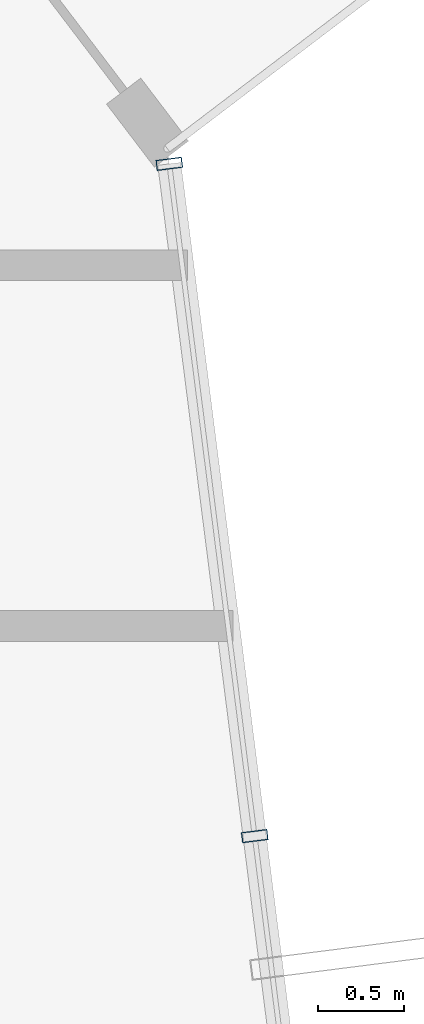
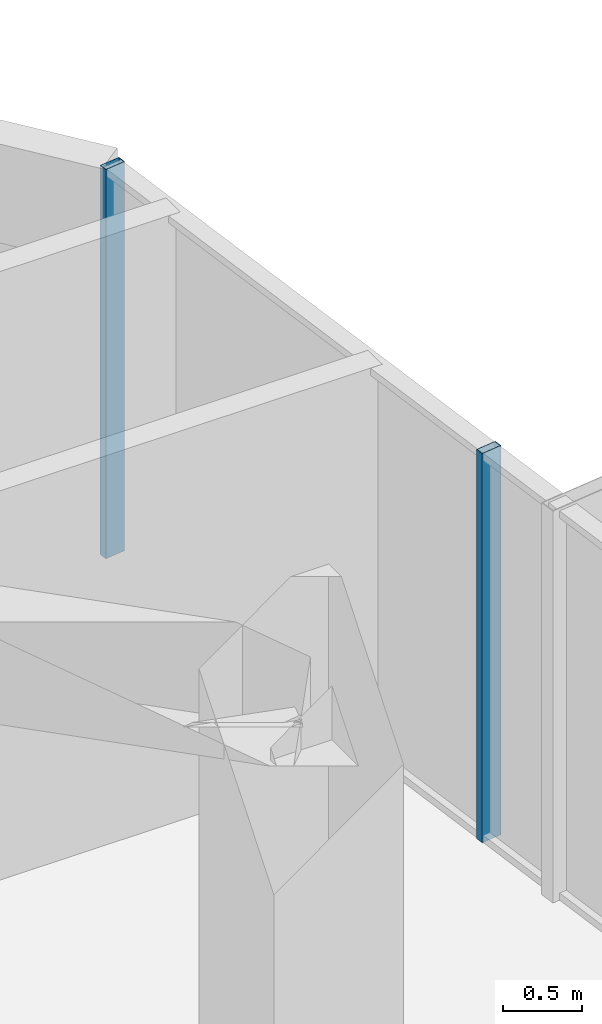
# One storey, part 20 of 32: 2 members, 1 element without a shape of its own.
"""IFC4 building model written with IfcOpenShell, lengths in metres."""

from ifc_helpers import new_model, si_unit, direction, frame, origin, origin_2d, place, context, subcontext, project, spatial, hollow_rectangle, extrude, source, transform, mapped, material, layer, layer_set, material_profile, profile_set, type_object, element, aggregate, save


model = new_model("IFC4")

# Units and contexts
model_context = context("Model", 3, precision=1e-05, world=origin(), true_north=direction((0.0, 1.0)))
body_context = subcontext(model_context, "Body", "Model", "MODEL_VIEW")
ifc_project = project(units=[si_unit("LENGTHUNIT", "METRE"), si_unit("AREAUNIT", "SQUARE_METRE"), si_unit("VOLUMEUNIT", "CUBIC_METRE"), si_unit("PLANEANGLEUNIT", "RADIAN"), si_unit("MASSUNIT", "GRAM", prefix="KILO")], contexts=[model_context])

# Site, building, storey
site_placement = place(None, origin())
site = spatial("IfcSite", under=ifc_project, at=site_placement, CompositionType="ELEMENT")
building_placement = place(site_placement, origin())
building = spatial("IfcBuilding", under=site, at=building_placement, Name="Veraguas Prism Commons", CompositionType="ELEMENT")
storey_placement = place(building_placement, frame((0.0, 0.0, 182.10009765625)))
storey = spatial("IfcBuildingStorey", under=building, at=storey_placement, Name="L51", CompositionType="ELEMENT", Elevation=182.10009765625)

# Curtain wall, members
ifc_material = material(Name="Anodised aluminium EN AW-6063 T6", Category="aluminium")
ifc_layer = layer(ifc_material, 0.14990234375, Name="Unitised Flush Curtain Wall Zone 3", Category="aluminium")
ifc_layer_set = layer_set([ifc_layer], Name="Anodised aluminium EN AW-6063 T6")
curtain_wall_type = type_object("IfcCurtainWallType", Name="Unitised Flush Curtain Wall Zone 3", PredefinedType="NOTDEFINED", material=ifc_layer_set)
curtain_wall_placement = place(storey_placement, origin())
curtain_wall = element("IfcCurtainWall", 1, at=curtain_wall_placement, inside=storey, type_object=curtain_wall_type, Name="Tower Facade Curtain Wall L51-F6", PredefinedType="NOTDEFINED")
ifc_material_profile = material_profile(ifc_material, hollow_rectangle(XDim=0.06005859375, YDim=0.14990234375, WallThickness=0.0029296875, at=origin_2d()), Name="AL60X150X3")
ifc_profile_set = profile_set([ifc_material_profile], Name="Anodised aluminium EN AW-6063 T6")
member_type = type_object("IfcMemberType", Name="Curtain Wall Mullion Upper AL 60x150x3", PredefinedType="MULLION", material=ifc_profile_set)
shared_shape = source(origin(), body_context, "Body", "SweptSolid", [
    extrude(hollow_rectangle(XDim=0.06005859375, YDim=0.14990234375, WallThickness=0.0029296875, at=origin_2d()), origin(), (0.0, 0.0, 1.0), 3.014892578125),
])
member_1_placement = place(storey_placement, frame((41.068115234375, 30.17578125, 0.0), z_axis=(0.0, 0.0, 1.0), x_axis=(-0.126018904031, 0.992027840248, 0.0)))
member_1 = element("IfcMember", 2, at=member_1_placement, type_object=member_type, Name="CW-Z3 Mullion 4", PredefinedType="MULLION", context=body_context, shape_type="MappedRepresentation", body=[
    mapped(shared_shape, transform((0.0, 0.0, 0.0), scale=1.0)),
])
member_2_placement = place(storey_placement, frame((40.57080078125, 34.090087890625, 0.0), z_axis=(0.0, 0.0, 1.0), x_axis=(-0.126018904031, 0.992027840248, 0.0)))
member_2 = element("IfcMember", 3, at=member_2_placement, type_object=member_type, Name="CW-Z3 Mullion 5", PredefinedType="MULLION", context=body_context, shape_type="MappedRepresentation", body=[
    mapped(shared_shape, transform((0.0, 0.0, 0.0), scale=1.0)),
])
aggregate(curtain_wall, [member_1, member_2])

save(model, "model.ifc")
